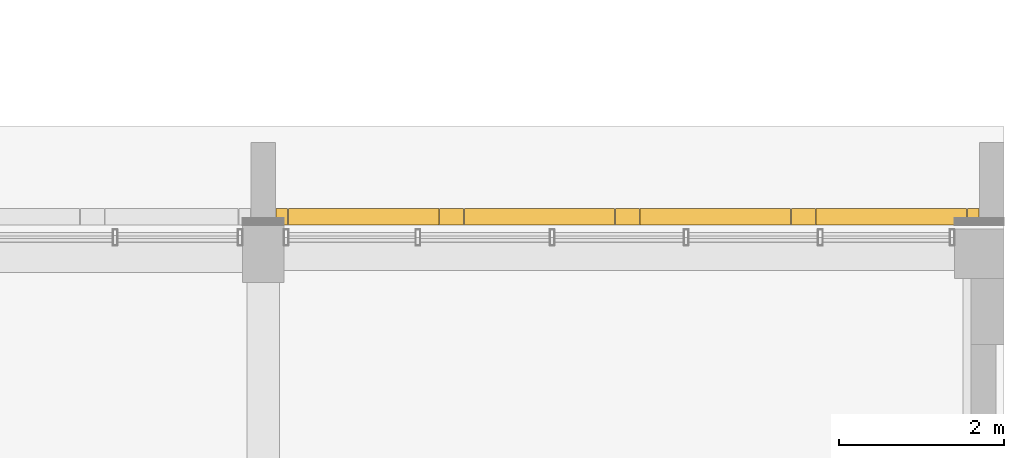
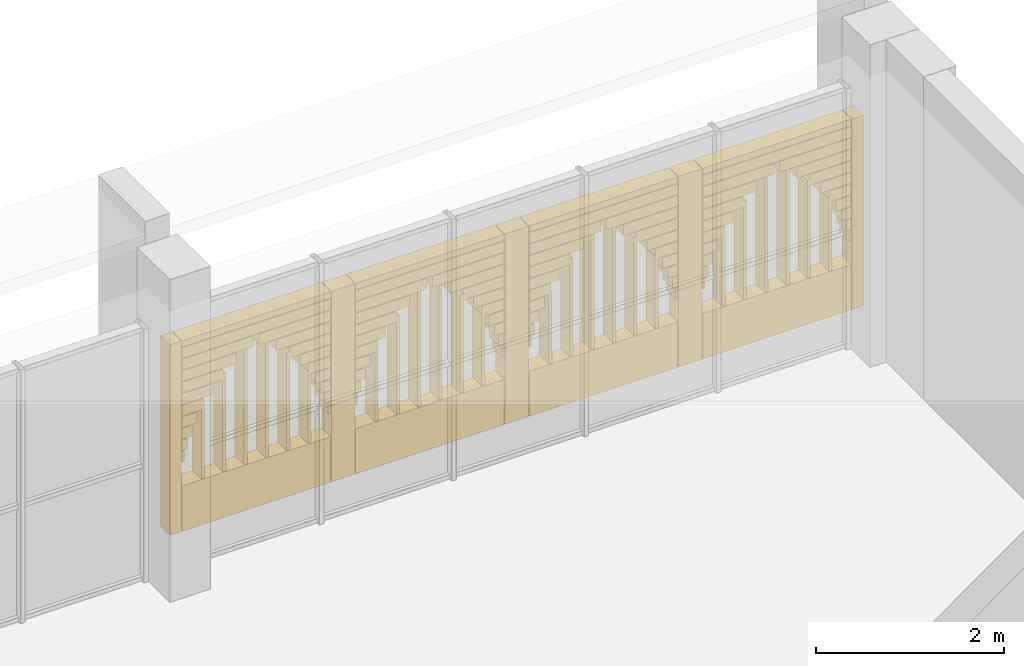
# One storey, part 98 of 98: 1 covering.
"""IFC4 building model written with IfcOpenShell, lengths in metres."""

from ifc_helpers import new_model, si_unit, direction, frame, origin, origin_2d, place, context, subcontext, project, spatial, rectangle, extrude, material, layer, layer_set, type_object, element, save


model = new_model("IFC4")

# Units and contexts
model_context = context("Model", 3, precision=1e-05, world=origin(), true_north=direction((0.0, 1.0)))
body_context = subcontext(model_context, "Body", "Model", "MODEL_VIEW")
ifc_project = project(units=[si_unit("LENGTHUNIT", "METRE"), si_unit("AREAUNIT", "SQUARE_METRE"), si_unit("VOLUMEUNIT", "CUBIC_METRE"), si_unit("PLANEANGLEUNIT", "RADIAN"), si_unit("MASSUNIT", "GRAM", prefix="KILO")], contexts=[model_context])

# Site, building, storey
site_placement = place(None, origin())
site = spatial("IfcSite", under=ifc_project, at=site_placement, CompositionType="ELEMENT")
building_placement = place(site_placement, origin())
building = spatial("IfcBuilding", under=site, at=building_placement, Name="Sun Court Science Centre", CompositionType="ELEMENT")
storey_placement = place(building_placement, frame((0.0, 0.0, 15.75)))
storey = spatial("IfcBuildingStorey", under=building, at=storey_placement, Name="L03", CompositionType="ELEMENT", Elevation=15.75)

# Covering
ifc_material = material(Name="Red sandstone", Category="masonry")
ifc_layer = layer(ifc_material, 0.199951171875)
ifc_layer_set = layer_set([ifc_layer], Name="Red sandstone")
covering_type = type_object("IfcCoveringType", Name="Arched jali screen 200", PredefinedType="CLADDING", material=ifc_layer_set)
covering_placement = place(storey_placement, frame((0.0, 0.0, -15.75)))
element("IfcCovering", 1, at=covering_placement, inside=storey, type_object=covering_type, Name="Arched jali screen north L03 04", PredefinedType="CLADDING", context=body_context, shape_type="SweptSolid", body=[
    extrude(rectangle(XDim=0.139892578125, YDim=0.199951171875, at=origin_2d()), frame((95.22509765625, 81.10009765625, 16.05517578125), z_axis=(0.0, 0.0, 1.0), x_axis=(1.0, 0.0, 0.0)), (0.0, 0.0, 1.0), 2.481201171875),
    extrude(rectangle(XDim=0.2900390625, YDim=0.199951171875, at=origin_2d()), frame((97.28759765625, 81.10009765625, 16.05517578125), z_axis=(0.0, 0.0, 1.0), x_axis=(1.0, 0.0, 0.0)), (0.0, 0.0, 1.0), 2.481201171875),
    extrude(rectangle(XDim=0.2900390625, YDim=0.199951171875, at=origin_2d()), frame((99.425048828125, 81.10009765625, 16.05517578125), z_axis=(0.0, 0.0, 1.0), x_axis=(1.0, 0.0, 0.0)), (0.0, 0.0, 1.0), 2.481201171875),
    extrude(rectangle(XDim=0.2900390625, YDim=0.199951171875, at=origin_2d()), frame((101.5625, 81.10009765625, 16.05517578125), z_axis=(0.0, 0.0, 1.0), x_axis=(1.0, 0.0, 0.0)), (0.0, 0.0, 1.0), 2.481201171875),
    extrude(rectangle(XDim=0.139892578125, YDim=0.199951171875, at=origin_2d()), frame((103.625, 81.10009765625, 16.05517578125), z_axis=(0.0, 0.0, 1.0), x_axis=(1.0, 0.0, 0.0)), (0.0, 0.0, 1.0), 2.481201171875),
    extrude(rectangle(XDim=1.827392578125, YDim=0.199951171875, at=origin_2d()), frame((96.21875, 81.10009765625, 16.05517578125), z_axis=(0.0, 0.0, 1.0), x_axis=(1.0, 0.0, 0.0)), (0.0, 0.0, 1.0), 0.590087890625),
    extrude(rectangle(XDim=0.028564453125, YDim=0.199951171875, at=origin_2d()), frame((95.3193359375, 81.10009765625, 16.955078125), z_axis=(0.0, 0.0, 1.0), x_axis=(1.0, 0.0, 0.0)), (0.0, 0.0, 1.0), 0.139892578125),
    extrude(rectangle(XDim=0.028564453125, YDim=0.199951171875, at=origin_2d()), frame((97.1181640625, 81.10009765625, 16.955078125), z_axis=(0.0, 0.0, 1.0), x_axis=(1.0, 0.0, 0.0)), (0.0, 0.0, 1.0), 0.139892578125),
    extrude(rectangle(XDim=0.066650390625, YDim=0.199951171875, at=origin_2d()), frame((95.33837890625, 81.10009765625, 17.10498046875), z_axis=(0.0, 0.0, 1.0), x_axis=(1.0, 0.0, 0.0)), (0.0, 0.0, 1.0), 0.139892578125),
    extrude(rectangle(XDim=0.066650390625, YDim=0.199951171875, at=origin_2d()), frame((97.09912109375, 81.10009765625, 17.10498046875), z_axis=(0.0, 0.0, 1.0), x_axis=(1.0, 0.0, 0.0)), (0.0, 0.0, 1.0), 0.139892578125),
    extrude(rectangle(XDim=0.118408203125, YDim=0.199951171875, at=origin_2d()), frame((95.3642578125, 81.10009765625, 17.2548828125), z_axis=(0.0, 0.0, 1.0), x_axis=(1.0, 0.0, 0.0)), (0.0, 0.0, 1.0), 0.139892578125),
    extrude(rectangle(XDim=0.118408203125, YDim=0.199951171875, at=origin_2d()), frame((97.0732421875, 81.10009765625, 17.2548828125), z_axis=(0.0, 0.0, 1.0), x_axis=(1.0, 0.0, 0.0)), (0.0, 0.0, 1.0), 0.139892578125),
    extrude(rectangle(XDim=0.185546875, YDim=0.199951171875, at=origin_2d()), frame((95.397705078125, 81.10009765625, 17.4052734375), z_axis=(0.0, 0.0, 1.0), x_axis=(1.0, 0.0, 0.0)), (0.0, 0.0, 1.0), 0.139892578125),
    extrude(rectangle(XDim=0.185546875, YDim=0.199951171875, at=origin_2d()), frame((97.039794921875, 81.10009765625, 17.4052734375), z_axis=(0.0, 0.0, 1.0), x_axis=(1.0, 0.0, 0.0)), (0.0, 0.0, 1.0), 0.139892578125),
    extrude(rectangle(XDim=0.27001953125, YDim=0.199951171875, at=origin_2d()), frame((95.43994140625, 81.10009765625, 17.55517578125), z_axis=(0.0, 0.0, 1.0), x_axis=(1.0, 0.0, 0.0)), (0.0, 0.0, 1.0), 0.139892578125),
    extrude(rectangle(XDim=0.27001953125, YDim=0.199951171875, at=origin_2d()), frame((96.99755859375, 81.10009765625, 17.55517578125), z_axis=(0.0, 0.0, 1.0), x_axis=(1.0, 0.0, 0.0)), (0.0, 0.0, 1.0), 0.139892578125),
    extrude(rectangle(XDim=0.374755859375, YDim=0.199951171875, at=origin_2d()), frame((95.492431640625, 81.10009765625, 17.705078125), z_axis=(0.0, 0.0, 1.0), x_axis=(1.0, 0.0, 0.0)), (0.0, 0.0, 1.0), 0.139892578125),
    extrude(rectangle(XDim=0.374755859375, YDim=0.199951171875, at=origin_2d()), frame((96.945068359375, 81.10009765625, 17.705078125), z_axis=(0.0, 0.0, 1.0), x_axis=(1.0, 0.0, 0.0)), (0.0, 0.0, 1.0), 0.139892578125),
    extrude(rectangle(XDim=0.50439453125, YDim=0.199951171875, at=origin_2d()), frame((95.55712890625, 81.10009765625, 17.85498046875), z_axis=(0.0, 0.0, 1.0), x_axis=(1.0, 0.0, 0.0)), (0.0, 0.0, 1.0), 0.139892578125),
    extrude(rectangle(XDim=0.50439453125, YDim=0.199951171875, at=origin_2d()), frame((96.88037109375, 81.10009765625, 17.85498046875), z_axis=(0.0, 0.0, 1.0), x_axis=(1.0, 0.0, 0.0)), (0.0, 0.0, 1.0), 0.139892578125),
    extrude(rectangle(XDim=0.66748046875, YDim=0.199951171875, at=origin_2d()), frame((95.638671875, 81.10009765625, 18.0048828125), z_axis=(0.0, 0.0, 1.0), x_axis=(1.0, 0.0, 0.0)), (0.0, 0.0, 1.0), 0.139892578125),
    extrude(rectangle(XDim=0.66748046875, YDim=0.199951171875, at=origin_2d()), frame((96.798828125, 81.10009765625, 18.0048828125), z_axis=(0.0, 0.0, 1.0), x_axis=(1.0, 0.0, 0.0)), (0.0, 0.0, 1.0), 0.139892578125),
    extrude(rectangle(XDim=0.881103515625, YDim=0.199951171875, at=origin_2d()), frame((95.74560546875, 81.10009765625, 18.1552734375), z_axis=(0.0, 0.0, 1.0), x_axis=(1.0, 0.0, 0.0)), (0.0, 0.0, 1.0), 0.139892578125),
    extrude(rectangle(XDim=0.881103515625, YDim=0.199951171875, at=origin_2d()), frame((96.69189453125, 81.10009765625, 18.1552734375), z_axis=(0.0, 0.0, 1.0), x_axis=(1.0, 0.0, 0.0)), (0.0, 0.0, 1.0), 0.139892578125),
    extrude(rectangle(XDim=1.827392578125, YDim=0.199951171875, at=origin_2d()), frame((96.21875, 81.10009765625, 18.30517578125), z_axis=(0.0, 0.0, 1.0), x_axis=(1.0, 0.0, 0.0)), (0.0, 0.0, 1.0), 0.139892578125),
    extrude(rectangle(XDim=1.827392578125, YDim=0.199951171875, at=origin_2d()), frame((96.21875, 81.10009765625, 18.455078125), z_axis=(0.0, 0.0, 1.0), x_axis=(1.0, 0.0, 0.0)), (0.0, 0.0, 1.0), 0.081298828125),
    extrude(rectangle(XDim=0.0400390625, YDim=0.199951171875, at=origin_2d()), frame((95.5625, 81.10009765625, 16.655029296875), z_axis=(0.0, 0.0, 1.0), x_axis=(1.0, 0.0, 0.0)), (0.0, 0.0, 1.0), 0.9365234375),
    extrude(rectangle(XDim=0.0400390625, YDim=0.199951171875, at=origin_2d()), frame((95.824951171875, 81.10009765625, 16.655029296875), z_axis=(0.0, 0.0, 1.0), x_axis=(1.0, 0.0, 0.0)), (0.0, 0.0, 1.0), 1.27587890625),
    extrude(rectangle(XDim=0.0400390625, YDim=0.199951171875, at=origin_2d()), frame((96.08740234375, 81.10009765625, 16.655029296875), z_axis=(0.0, 0.0, 1.0), x_axis=(1.0, 0.0, 0.0)), (0.0, 0.0, 1.0), 1.498046875),
    extrude(rectangle(XDim=0.0400390625, YDim=0.199951171875, at=origin_2d()), frame((96.35009765625, 81.10009765625, 16.655029296875), z_axis=(0.0, 0.0, 1.0), x_axis=(1.0, 0.0, 0.0)), (0.0, 0.0, 1.0), 1.498046875),
    extrude(rectangle(XDim=0.0400390625, YDim=0.199951171875, at=origin_2d()), frame((96.612548828125, 81.10009765625, 16.655029296875), z_axis=(0.0, 0.0, 1.0), x_axis=(1.0, 0.0, 0.0)), (0.0, 0.0, 1.0), 1.27587890625),
    extrude(rectangle(XDim=0.0400390625, YDim=0.199951171875, at=origin_2d()), frame((96.875, 81.10009765625, 16.655029296875), z_axis=(0.0, 0.0, 1.0), x_axis=(1.0, 0.0, 0.0)), (0.0, 0.0, 1.0), 0.9365234375),
    extrude(rectangle(XDim=1.827392578125, YDim=0.199951171875, at=origin_2d()), frame((98.356201171875, 81.10009765625, 16.05517578125), z_axis=(0.0, 0.0, 1.0), x_axis=(1.0, 0.0, 0.0)), (0.0, 0.0, 1.0), 0.590087890625),
    extrude(rectangle(XDim=0.028564453125, YDim=0.199951171875, at=origin_2d()), frame((97.456787109375, 81.10009765625, 16.955078125), z_axis=(0.0, 0.0, 1.0), x_axis=(1.0, 0.0, 0.0)), (0.0, 0.0, 1.0), 0.139892578125),
    extrude(rectangle(XDim=0.028564453125, YDim=0.199951171875, at=origin_2d()), frame((99.255615234375, 81.10009765625, 16.955078125), z_axis=(0.0, 0.0, 1.0), x_axis=(1.0, 0.0, 0.0)), (0.0, 0.0, 1.0), 0.139892578125),
    extrude(rectangle(XDim=0.066650390625, YDim=0.199951171875, at=origin_2d()), frame((97.475830078125, 81.10009765625, 17.10498046875), z_axis=(0.0, 0.0, 1.0), x_axis=(1.0, 0.0, 0.0)), (0.0, 0.0, 1.0), 0.139892578125),
    extrude(rectangle(XDim=0.066650390625, YDim=0.199951171875, at=origin_2d()), frame((99.23681640625, 81.10009765625, 17.10498046875), z_axis=(0.0, 0.0, 1.0), x_axis=(1.0, 0.0, 0.0)), (0.0, 0.0, 1.0), 0.139892578125),
    extrude(rectangle(XDim=0.118408203125, YDim=0.199951171875, at=origin_2d()), frame((97.501708984375, 81.10009765625, 17.2548828125), z_axis=(0.0, 0.0, 1.0), x_axis=(1.0, 0.0, 0.0)), (0.0, 0.0, 1.0), 0.139892578125),
    extrude(rectangle(XDim=0.118408203125, YDim=0.199951171875, at=origin_2d()), frame((99.210693359375, 81.10009765625, 17.2548828125), z_axis=(0.0, 0.0, 1.0), x_axis=(1.0, 0.0, 0.0)), (0.0, 0.0, 1.0), 0.139892578125),
    extrude(rectangle(XDim=0.185546875, YDim=0.199951171875, at=origin_2d()), frame((97.535400390625, 81.10009765625, 17.4052734375), z_axis=(0.0, 0.0, 1.0), x_axis=(1.0, 0.0, 0.0)), (0.0, 0.0, 1.0), 0.139892578125),
    extrude(rectangle(XDim=0.185546875, YDim=0.199951171875, at=origin_2d()), frame((99.17724609375, 81.10009765625, 17.4052734375), z_axis=(0.0, 0.0, 1.0), x_axis=(1.0, 0.0, 0.0)), (0.0, 0.0, 1.0), 0.139892578125),
    extrude(rectangle(XDim=0.27001953125, YDim=0.199951171875, at=origin_2d()), frame((97.577392578125, 81.10009765625, 17.55517578125), z_axis=(0.0, 0.0, 1.0), x_axis=(1.0, 0.0, 0.0)), (0.0, 0.0, 1.0), 0.139892578125),
    extrude(rectangle(XDim=0.27001953125, YDim=0.199951171875, at=origin_2d()), frame((99.135009765625, 81.10009765625, 17.55517578125), z_axis=(0.0, 0.0, 1.0), x_axis=(1.0, 0.0, 0.0)), (0.0, 0.0, 1.0), 0.139892578125),
    extrude(rectangle(XDim=0.374755859375, YDim=0.199951171875, at=origin_2d()), frame((97.6298828125, 81.10009765625, 17.705078125), z_axis=(0.0, 0.0, 1.0), x_axis=(1.0, 0.0, 0.0)), (0.0, 0.0, 1.0), 0.139892578125),
    extrude(rectangle(XDim=0.374755859375, YDim=0.199951171875, at=origin_2d()), frame((99.082763671875, 81.10009765625, 17.705078125), z_axis=(0.0, 0.0, 1.0), x_axis=(1.0, 0.0, 0.0)), (0.0, 0.0, 1.0), 0.139892578125),
    extrude(rectangle(XDim=0.50439453125, YDim=0.199951171875, at=origin_2d()), frame((97.694580078125, 81.10009765625, 17.85498046875), z_axis=(0.0, 0.0, 1.0), x_axis=(1.0, 0.0, 0.0)), (0.0, 0.0, 1.0), 0.139892578125),
    extrude(rectangle(XDim=0.50439453125, YDim=0.199951171875, at=origin_2d()), frame((99.017822265625, 81.10009765625, 17.85498046875), z_axis=(0.0, 0.0, 1.0), x_axis=(1.0, 0.0, 0.0)), (0.0, 0.0, 1.0), 0.139892578125),
    extrude(rectangle(XDim=0.66748046875, YDim=0.199951171875, at=origin_2d()), frame((97.776123046875, 81.10009765625, 18.0048828125), z_axis=(0.0, 0.0, 1.0), x_axis=(1.0, 0.0, 0.0)), (0.0, 0.0, 1.0), 0.139892578125),
    extrude(rectangle(XDim=0.66748046875, YDim=0.199951171875, at=origin_2d()), frame((98.936279296875, 81.10009765625, 18.0048828125), z_axis=(0.0, 0.0, 1.0), x_axis=(1.0, 0.0, 0.0)), (0.0, 0.0, 1.0), 0.139892578125),
    extrude(rectangle(XDim=0.881103515625, YDim=0.199951171875, at=origin_2d()), frame((97.883056640625, 81.10009765625, 18.1552734375), z_axis=(0.0, 0.0, 1.0), x_axis=(1.0, 0.0, 0.0)), (0.0, 0.0, 1.0), 0.139892578125),
    extrude(rectangle(XDim=0.881103515625, YDim=0.199951171875, at=origin_2d()), frame((98.82958984375, 81.10009765625, 18.1552734375), z_axis=(0.0, 0.0, 1.0), x_axis=(1.0, 0.0, 0.0)), (0.0, 0.0, 1.0), 0.139892578125),
    extrude(rectangle(XDim=1.827392578125, YDim=0.199951171875, at=origin_2d()), frame((98.356201171875, 81.10009765625, 18.30517578125), z_axis=(0.0, 0.0, 1.0), x_axis=(1.0, 0.0, 0.0)), (0.0, 0.0, 1.0), 0.139892578125),
    extrude(rectangle(XDim=1.827392578125, YDim=0.199951171875, at=origin_2d()), frame((98.356201171875, 81.10009765625, 18.455078125), z_axis=(0.0, 0.0, 1.0), x_axis=(1.0, 0.0, 0.0)), (0.0, 0.0, 1.0), 0.081298828125),
    extrude(rectangle(XDim=0.0400390625, YDim=0.199951171875, at=origin_2d()), frame((97.699951171875, 81.10009765625, 16.655029296875), z_axis=(0.0, 0.0, 1.0), x_axis=(1.0, 0.0, 0.0)), (0.0, 0.0, 1.0), 0.9365234375),
    extrude(rectangle(XDim=0.0400390625, YDim=0.199951171875, at=origin_2d()), frame((97.96240234375, 81.10009765625, 16.655029296875), z_axis=(0.0, 0.0, 1.0), x_axis=(1.0, 0.0, 0.0)), (0.0, 0.0, 1.0), 1.27587890625),
    extrude(rectangle(XDim=0.0400390625, YDim=0.199951171875, at=origin_2d()), frame((98.22509765625, 81.10009765625, 16.655029296875), z_axis=(0.0, 0.0, 1.0), x_axis=(1.0, 0.0, 0.0)), (0.0, 0.0, 1.0), 1.498046875),
    extrude(rectangle(XDim=0.0400390625, YDim=0.199951171875, at=origin_2d()), frame((98.487548828125, 81.10009765625, 16.655029296875), z_axis=(0.0, 0.0, 1.0), x_axis=(1.0, 0.0, 0.0)), (0.0, 0.0, 1.0), 1.498046875),
    extrude(rectangle(XDim=0.0400390625, YDim=0.199951171875, at=origin_2d()), frame((98.75, 81.10009765625, 16.655029296875), z_axis=(0.0, 0.0, 1.0), x_axis=(1.0, 0.0, 0.0)), (0.0, 0.0, 1.0), 1.27587890625),
    extrude(rectangle(XDim=0.0400390625, YDim=0.199951171875, at=origin_2d()), frame((99.012451171875, 81.10009765625, 16.655029296875), z_axis=(0.0, 0.0, 1.0), x_axis=(1.0, 0.0, 0.0)), (0.0, 0.0, 1.0), 0.9365234375),
    extrude(rectangle(XDim=1.827392578125, YDim=0.199951171875, at=origin_2d()), frame((100.49365234375, 81.10009765625, 16.05517578125), z_axis=(0.0, 0.0, 1.0), x_axis=(1.0, 0.0, 0.0)), (0.0, 0.0, 1.0), 0.590087890625),
    extrude(rectangle(XDim=0.028564453125, YDim=0.199951171875, at=origin_2d()), frame((99.59423828125, 81.10009765625, 16.955078125), z_axis=(0.0, 0.0, 1.0), x_axis=(1.0, 0.0, 0.0)), (0.0, 0.0, 1.0), 0.139892578125),
    extrude(rectangle(XDim=0.028564453125, YDim=0.199951171875, at=origin_2d()), frame((101.39306640625, 81.10009765625, 16.955078125), z_axis=(0.0, 0.0, 1.0), x_axis=(1.0, 0.0, 0.0)), (0.0, 0.0, 1.0), 0.139892578125),
    extrude(rectangle(XDim=0.066650390625, YDim=0.199951171875, at=origin_2d()), frame((99.61328125, 81.10009765625, 17.10498046875), z_axis=(0.0, 0.0, 1.0), x_axis=(1.0, 0.0, 0.0)), (0.0, 0.0, 1.0), 0.139892578125),
    extrude(rectangle(XDim=0.066650390625, YDim=0.199951171875, at=origin_2d()), frame((101.374267578125, 81.10009765625, 17.10498046875), z_axis=(0.0, 0.0, 1.0), x_axis=(1.0, 0.0, 0.0)), (0.0, 0.0, 1.0), 0.139892578125),
    extrude(rectangle(XDim=0.118408203125, YDim=0.199951171875, at=origin_2d()), frame((99.63916015625, 81.10009765625, 17.2548828125), z_axis=(0.0, 0.0, 1.0), x_axis=(1.0, 0.0, 0.0)), (0.0, 0.0, 1.0), 0.139892578125),
    extrude(rectangle(XDim=0.118408203125, YDim=0.199951171875, at=origin_2d()), frame((101.34814453125, 81.10009765625, 17.2548828125), z_axis=(0.0, 0.0, 1.0), x_axis=(1.0, 0.0, 0.0)), (0.0, 0.0, 1.0), 0.139892578125),
    extrude(rectangle(XDim=0.185546875, YDim=0.199951171875, at=origin_2d()), frame((99.6728515625, 81.10009765625, 17.4052734375), z_axis=(0.0, 0.0, 1.0), x_axis=(1.0, 0.0, 0.0)), (0.0, 0.0, 1.0), 0.139892578125),
    extrude(rectangle(XDim=0.185546875, YDim=0.199951171875, at=origin_2d()), frame((101.314697265625, 81.10009765625, 17.4052734375), z_axis=(0.0, 0.0, 1.0), x_axis=(1.0, 0.0, 0.0)), (0.0, 0.0, 1.0), 0.139892578125),
    extrude(rectangle(XDim=0.27001953125, YDim=0.199951171875, at=origin_2d()), frame((99.715087890625, 81.10009765625, 17.55517578125), z_axis=(0.0, 0.0, 1.0), x_axis=(1.0, 0.0, 0.0)), (0.0, 0.0, 1.0), 0.139892578125),
    extrude(rectangle(XDim=0.27001953125, YDim=0.199951171875, at=origin_2d()), frame((101.2724609375, 81.10009765625, 17.55517578125), z_axis=(0.0, 0.0, 1.0), x_axis=(1.0, 0.0, 0.0)), (0.0, 0.0, 1.0), 0.139892578125),
    extrude(rectangle(XDim=0.374755859375, YDim=0.199951171875, at=origin_2d()), frame((99.767333984375, 81.10009765625, 17.705078125), z_axis=(0.0, 0.0, 1.0), x_axis=(1.0, 0.0, 0.0)), (0.0, 0.0, 1.0), 0.139892578125),
    extrude(rectangle(XDim=0.374755859375, YDim=0.199951171875, at=origin_2d()), frame((101.22021484375, 81.10009765625, 17.705078125), z_axis=(0.0, 0.0, 1.0), x_axis=(1.0, 0.0, 0.0)), (0.0, 0.0, 1.0), 0.139892578125),
    extrude(rectangle(XDim=0.50439453125, YDim=0.199951171875, at=origin_2d()), frame((99.832275390625, 81.10009765625, 17.85498046875), z_axis=(0.0, 0.0, 1.0), x_axis=(1.0, 0.0, 0.0)), (0.0, 0.0, 1.0), 0.139892578125),
    extrude(rectangle(XDim=0.50439453125, YDim=0.199951171875, at=origin_2d()), frame((101.1552734375, 81.10009765625, 17.85498046875), z_axis=(0.0, 0.0, 1.0), x_axis=(1.0, 0.0, 0.0)), (0.0, 0.0, 1.0), 0.139892578125),
    extrude(rectangle(XDim=0.66748046875, YDim=0.199951171875, at=origin_2d()), frame((99.913818359375, 81.10009765625, 18.0048828125), z_axis=(0.0, 0.0, 1.0), x_axis=(1.0, 0.0, 0.0)), (0.0, 0.0, 1.0), 0.139892578125),
    extrude(rectangle(XDim=0.66748046875, YDim=0.199951171875, at=origin_2d()), frame((101.07373046875, 81.10009765625, 18.0048828125), z_axis=(0.0, 0.0, 1.0), x_axis=(1.0, 0.0, 0.0)), (0.0, 0.0, 1.0), 0.139892578125),
    extrude(rectangle(XDim=0.881103515625, YDim=0.199951171875, at=origin_2d()), frame((100.0205078125, 81.10009765625, 18.1552734375), z_axis=(0.0, 0.0, 1.0), x_axis=(1.0, 0.0, 0.0)), (0.0, 0.0, 1.0), 0.139892578125),
    extrude(rectangle(XDim=0.881103515625, YDim=0.199951171875, at=origin_2d()), frame((100.967041015625, 81.10009765625, 18.1552734375), z_axis=(0.0, 0.0, 1.0), x_axis=(1.0, 0.0, 0.0)), (0.0, 0.0, 1.0), 0.139892578125),
    extrude(rectangle(XDim=1.827392578125, YDim=0.199951171875, at=origin_2d()), frame((100.49365234375, 81.10009765625, 18.30517578125), z_axis=(0.0, 0.0, 1.0), x_axis=(1.0, 0.0, 0.0)), (0.0, 0.0, 1.0), 0.139892578125),
    extrude(rectangle(XDim=1.827392578125, YDim=0.199951171875, at=origin_2d()), frame((100.49365234375, 81.10009765625, 18.455078125), z_axis=(0.0, 0.0, 1.0), x_axis=(1.0, 0.0, 0.0)), (0.0, 0.0, 1.0), 0.081298828125),
    extrude(rectangle(XDim=0.0400390625, YDim=0.199951171875, at=origin_2d()), frame((99.83740234375, 81.10009765625, 16.655029296875), z_axis=(0.0, 0.0, 1.0), x_axis=(1.0, 0.0, 0.0)), (0.0, 0.0, 1.0), 0.9365234375),
    extrude(rectangle(XDim=0.0400390625, YDim=0.199951171875, at=origin_2d()), frame((100.10009765625, 81.10009765625, 16.655029296875), z_axis=(0.0, 0.0, 1.0), x_axis=(1.0, 0.0, 0.0)), (0.0, 0.0, 1.0), 1.27587890625),
    extrude(rectangle(XDim=0.0400390625, YDim=0.199951171875, at=origin_2d()), frame((100.362548828125, 81.10009765625, 16.655029296875), z_axis=(0.0, 0.0, 1.0), x_axis=(1.0, 0.0, 0.0)), (0.0, 0.0, 1.0), 1.498046875),
    extrude(rectangle(XDim=0.0400390625, YDim=0.199951171875, at=origin_2d()), frame((100.625, 81.10009765625, 16.655029296875), z_axis=(0.0, 0.0, 1.0), x_axis=(1.0, 0.0, 0.0)), (0.0, 0.0, 1.0), 1.498046875),
    extrude(rectangle(XDim=0.0400390625, YDim=0.199951171875, at=origin_2d()), frame((100.887451171875, 81.10009765625, 16.655029296875), z_axis=(0.0, 0.0, 1.0), x_axis=(1.0, 0.0, 0.0)), (0.0, 0.0, 1.0), 1.27587890625),
    extrude(rectangle(XDim=0.0400390625, YDim=0.199951171875, at=origin_2d()), frame((101.14990234375, 81.10009765625, 16.655029296875), z_axis=(0.0, 0.0, 1.0), x_axis=(1.0, 0.0, 0.0)), (0.0, 0.0, 1.0), 0.9365234375),
    extrude(rectangle(XDim=1.827392578125, YDim=0.199951171875, at=origin_2d()), frame((102.63134765625, 81.10009765625, 16.05517578125), z_axis=(0.0, 0.0, 1.0), x_axis=(1.0, 0.0, 0.0)), (0.0, 0.0, 1.0), 0.590087890625),
    extrude(rectangle(XDim=0.028564453125, YDim=0.199951171875, at=origin_2d()), frame((101.73193359375, 81.10009765625, 16.955078125), z_axis=(0.0, 0.0, 1.0), x_axis=(1.0, 0.0, 0.0)), (0.0, 0.0, 1.0), 0.139892578125),
    extrude(rectangle(XDim=0.028564453125, YDim=0.199951171875, at=origin_2d()), frame((103.53076171875, 81.10009765625, 16.955078125), z_axis=(0.0, 0.0, 1.0), x_axis=(1.0, 0.0, 0.0)), (0.0, 0.0, 1.0), 0.139892578125),
    extrude(rectangle(XDim=0.066650390625, YDim=0.199951171875, at=origin_2d()), frame((101.750732421875, 81.10009765625, 17.10498046875), z_axis=(0.0, 0.0, 1.0), x_axis=(1.0, 0.0, 0.0)), (0.0, 0.0, 1.0), 0.139892578125),
    extrude(rectangle(XDim=0.066650390625, YDim=0.199951171875, at=origin_2d()), frame((103.51171875, 81.10009765625, 17.10498046875), z_axis=(0.0, 0.0, 1.0), x_axis=(1.0, 0.0, 0.0)), (0.0, 0.0, 1.0), 0.139892578125),
    extrude(rectangle(XDim=0.118408203125, YDim=0.199951171875, at=origin_2d()), frame((101.77685546875, 81.10009765625, 17.2548828125), z_axis=(0.0, 0.0, 1.0), x_axis=(1.0, 0.0, 0.0)), (0.0, 0.0, 1.0), 0.139892578125),
    extrude(rectangle(XDim=0.118408203125, YDim=0.199951171875, at=origin_2d()), frame((103.48583984375, 81.10009765625, 17.2548828125), z_axis=(0.0, 0.0, 1.0), x_axis=(1.0, 0.0, 0.0)), (0.0, 0.0, 1.0), 0.139892578125),
    extrude(rectangle(XDim=0.185546875, YDim=0.199951171875, at=origin_2d()), frame((101.810302734375, 81.10009765625, 17.4052734375), z_axis=(0.0, 0.0, 1.0), x_axis=(1.0, 0.0, 0.0)), (0.0, 0.0, 1.0), 0.139892578125),
    extrude(rectangle(XDim=0.185546875, YDim=0.199951171875, at=origin_2d()), frame((103.4521484375, 81.10009765625, 17.4052734375), z_axis=(0.0, 0.0, 1.0), x_axis=(1.0, 0.0, 0.0)), (0.0, 0.0, 1.0), 0.139892578125),
    extrude(rectangle(XDim=0.27001953125, YDim=0.199951171875, at=origin_2d()), frame((101.8525390625, 81.10009765625, 17.55517578125), z_axis=(0.0, 0.0, 1.0), x_axis=(1.0, 0.0, 0.0)), (0.0, 0.0, 1.0), 0.139892578125),
    extrude(rectangle(XDim=0.27001953125, YDim=0.199951171875, at=origin_2d()), frame((103.409912109375, 81.10009765625, 17.55517578125), z_axis=(0.0, 0.0, 1.0), x_axis=(1.0, 0.0, 0.0)), (0.0, 0.0, 1.0), 0.139892578125),
    extrude(rectangle(XDim=0.374755859375, YDim=0.199951171875, at=origin_2d()), frame((101.90478515625, 81.10009765625, 17.705078125), z_axis=(0.0, 0.0, 1.0), x_axis=(1.0, 0.0, 0.0)), (0.0, 0.0, 1.0), 0.139892578125),
    extrude(rectangle(XDim=0.374755859375, YDim=0.199951171875, at=origin_2d()), frame((103.357666015625, 81.10009765625, 17.705078125), z_axis=(0.0, 0.0, 1.0), x_axis=(1.0, 0.0, 0.0)), (0.0, 0.0, 1.0), 0.139892578125),
    extrude(rectangle(XDim=0.50439453125, YDim=0.199951171875, at=origin_2d()), frame((101.9697265625, 81.10009765625, 17.85498046875), z_axis=(0.0, 0.0, 1.0), x_axis=(1.0, 0.0, 0.0)), (0.0, 0.0, 1.0), 0.139892578125),
    extrude(rectangle(XDim=0.50439453125, YDim=0.199951171875, at=origin_2d()), frame((103.292724609375, 81.10009765625, 17.85498046875), z_axis=(0.0, 0.0, 1.0), x_axis=(1.0, 0.0, 0.0)), (0.0, 0.0, 1.0), 0.139892578125),
    extrude(rectangle(XDim=0.66748046875, YDim=0.199951171875, at=origin_2d()), frame((102.05126953125, 81.10009765625, 18.0048828125), z_axis=(0.0, 0.0, 1.0), x_axis=(1.0, 0.0, 0.0)), (0.0, 0.0, 1.0), 0.139892578125),
    extrude(rectangle(XDim=0.66748046875, YDim=0.199951171875, at=origin_2d()), frame((103.211181640625, 81.10009765625, 18.0048828125), z_axis=(0.0, 0.0, 1.0), x_axis=(1.0, 0.0, 0.0)), (0.0, 0.0, 1.0), 0.139892578125),
    extrude(rectangle(XDim=0.881103515625, YDim=0.199951171875, at=origin_2d()), frame((102.157958984375, 81.10009765625, 18.1552734375), z_axis=(0.0, 0.0, 1.0), x_axis=(1.0, 0.0, 0.0)), (0.0, 0.0, 1.0), 0.139892578125),
    extrude(rectangle(XDim=0.881103515625, YDim=0.199951171875, at=origin_2d()), frame((103.1044921875, 81.10009765625, 18.1552734375), z_axis=(0.0, 0.0, 1.0), x_axis=(1.0, 0.0, 0.0)), (0.0, 0.0, 1.0), 0.139892578125),
    extrude(rectangle(XDim=1.827392578125, YDim=0.199951171875, at=origin_2d()), frame((102.63134765625, 81.10009765625, 18.30517578125), z_axis=(0.0, 0.0, 1.0), x_axis=(1.0, 0.0, 0.0)), (0.0, 0.0, 1.0), 0.139892578125),
    extrude(rectangle(XDim=1.827392578125, YDim=0.199951171875, at=origin_2d()), frame((102.63134765625, 81.10009765625, 18.455078125), z_axis=(0.0, 0.0, 1.0), x_axis=(1.0, 0.0, 0.0)), (0.0, 0.0, 1.0), 0.081298828125),
    extrude(rectangle(XDim=0.0400390625, YDim=0.199951171875, at=origin_2d()), frame((101.97509765625, 81.10009765625, 16.655029296875), z_axis=(0.0, 0.0, 1.0), x_axis=(1.0, 0.0, 0.0)), (0.0, 0.0, 1.0), 0.9365234375),
    extrude(rectangle(XDim=0.0400390625, YDim=0.199951171875, at=origin_2d()), frame((102.237548828125, 81.10009765625, 16.655029296875), z_axis=(0.0, 0.0, 1.0), x_axis=(1.0, 0.0, 0.0)), (0.0, 0.0, 1.0), 1.27587890625),
    extrude(rectangle(XDim=0.0400390625, YDim=0.199951171875, at=origin_2d()), frame((102.5, 81.10009765625, 16.655029296875), z_axis=(0.0, 0.0, 1.0), x_axis=(1.0, 0.0, 0.0)), (0.0, 0.0, 1.0), 1.498046875),
    extrude(rectangle(XDim=0.0400390625, YDim=0.199951171875, at=origin_2d()), frame((102.762451171875, 81.10009765625, 16.655029296875), z_axis=(0.0, 0.0, 1.0), x_axis=(1.0, 0.0, 0.0)), (0.0, 0.0, 1.0), 1.498046875),
    extrude(rectangle(XDim=0.0400390625, YDim=0.199951171875, at=origin_2d()), frame((103.02490234375, 81.10009765625, 16.655029296875), z_axis=(0.0, 0.0, 1.0), x_axis=(1.0, 0.0, 0.0)), (0.0, 0.0, 1.0), 1.27587890625),
    extrude(rectangle(XDim=0.0400390625, YDim=0.199951171875, at=origin_2d()), frame((103.28759765625, 81.10009765625, 16.655029296875), z_axis=(0.0, 0.0, 1.0), x_axis=(1.0, 0.0, 0.0)), (0.0, 0.0, 1.0), 0.9365234375),
])

save(model, "model.ifc")
